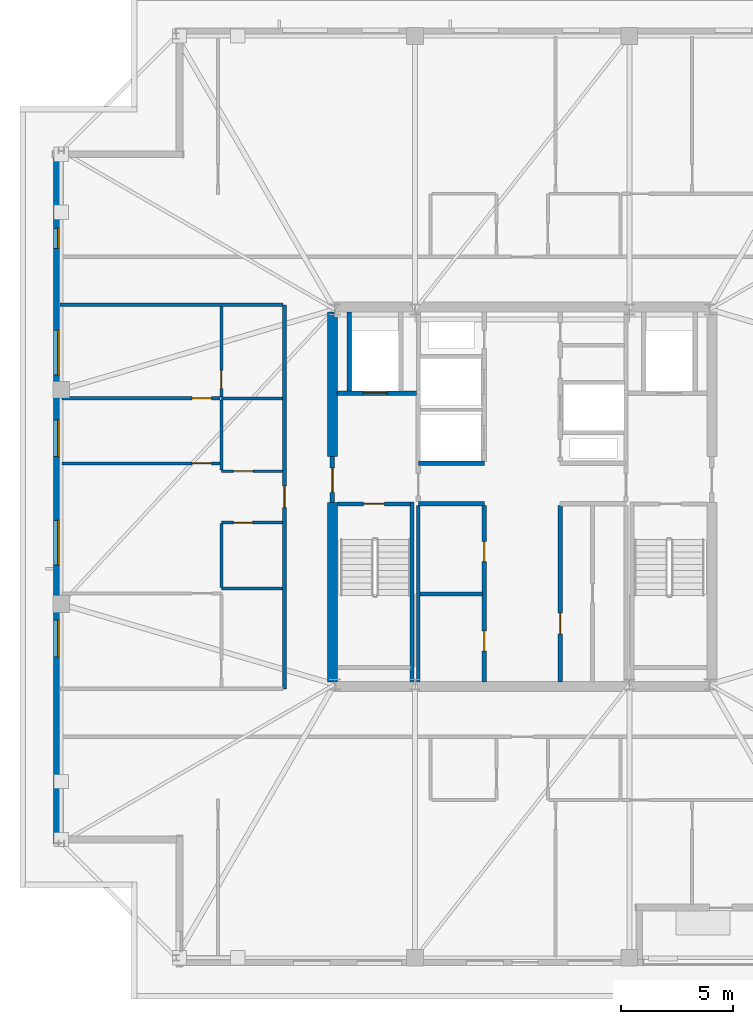
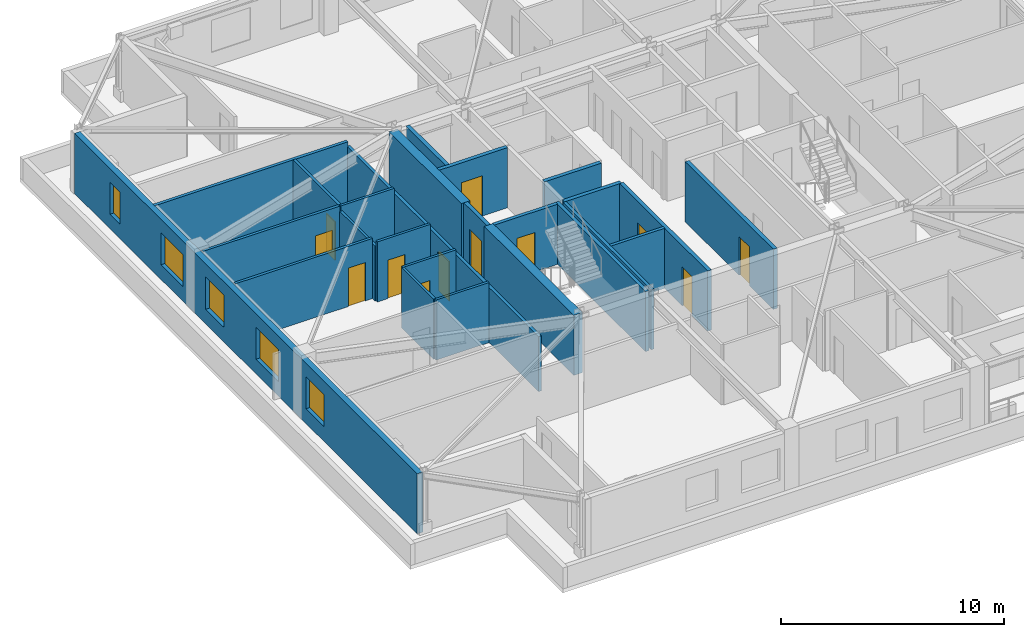
# One storey, part 8 of 15: 25 walls, 12 doors, 5 windows, 17 openings.
"""IFC4 building model written with IfcOpenShell, lengths in metres."""

from ifc_helpers import new_model, si_unit, direction, frame, frame_2d, origin, place, context, subcontext, project, spatial, rectangle, extrude, material, layer, layer_set, type_object, element, fill, save


model = new_model("IFC4")

# Units and contexts
model_context = context("Model", 3, precision=1e-05, world=origin(), true_north=direction((0.0, 1.0)))
body_context = subcontext(model_context, "Body", "Model", "MODEL_VIEW")
ifc_project = project(units=[si_unit("LENGTHUNIT", "METRE"), si_unit("AREAUNIT", "SQUARE_METRE"), si_unit("VOLUMEUNIT", "CUBIC_METRE"), si_unit("PLANEANGLEUNIT", "RADIAN"), si_unit("MASSUNIT", "GRAM", prefix="KILO")], contexts=[model_context])

# Site, building, storey
site_placement = place(None, origin())
site = spatial("IfcSite", under=ifc_project, at=site_placement, CompositionType="ELEMENT")
building_placement = place(site_placement, origin())
building = spatial("IfcBuilding", under=site, at=building_placement, Name="Cairnveth Concourse Tower", CompositionType="ELEMENT")
storey_placement = place(building_placement, frame((0.0, 0.0, 280.5)))
storey = spatial("IfcBuildingStorey", under=building, at=storey_placement, Name="L77", CompositionType="ELEMENT", Elevation=280.5)

# Walls
ifc_material_1 = material(Name="Gypsum Plasterboard Partition", Category="gypsum")
ifc_layer_1 = layer(ifc_material_1, 0.159912109375)
ifc_layer_set_1 = layer_set([ifc_layer_1], Name="Gypsum Plasterboard Partition")
wall_type_1 = type_object("IfcWallType", Name="ACOUSTIC PARTY WALL 180", PredefinedType="PARTITIONING", material=ifc_layer_set_1)
wall_1_placement = place(storey_placement, frame((47.35009765625, 30.7099609375, 0.0), z_axis=(0.0, 0.0, 1.0), x_axis=(0.0, 1.0, 0.0)))
element("IfcWall", 1, at=wall_1_placement, inside=storey, type_object=wall_type_1, Name="Interior Wall IW-L77-025", PredefinedType="PARTITIONING", context=body_context, shape_type="SweptSolid", body=[
    extrude(rectangle(XDim=7.905029296875, YDim=0.159912109375, at=frame_2d((3.95263671875, 0.0))), origin(), (0.0, 0.0, 1.0), 3.2900390625),
])
wall_2_placement = place(storey_placement, frame((47.4150390625, 34.64990234375, 0.0), z_axis=(0.0, 0.0, 1.0), x_axis=(1.0, 0.0, 0.0)))
element("IfcWall", 2, at=wall_2_placement, inside=storey, type_object=wall_type_1, Name="Interior Wall IW-L77-026", PredefinedType="PARTITIONING", context=body_context, shape_type="SweptSolid", body=[
    extrude(rectangle(XDim=2.800048828125, YDim=0.159912109375, at=frame_2d((1.39990234375, 0.0))), origin(), (0.0, 0.0, 1.0), 3.2900390625),
])

# Wall, opening, door
wall_3_placement = place(storey_placement, frame((41.35009765625, 30.39990234375, 0.0), z_axis=(0.0, 0.0, 1.0), x_axis=(0.0, 1.0, 0.0)))
wall_3 = element("IfcWall", 3, at=wall_3_placement, inside=storey, type_object=wall_type_1, Name="Interior Wall IW-L77-038", PredefinedType="PARTITIONING", context=body_context, shape_type="SweptSolid", body=[
    extrude(rectangle(XDim=17.2001953125, YDim=0.159912109375, at=frame_2d((8.60009765625, 0.0))), origin(), (0.0, 0.0, 1.0), 3.009033203125),
])
opening_1_placement = place(wall_3_placement, frame((8.1201171875, 0.0, 0.0)))
opening_1 = element("IfcOpeningElement", 4, at=opening_1_placement, cuts=wall_3, Name="Opening ID10", PredefinedType="OPENING", context=body_context, shape_type="SweptSolid", body=[
    extrude(rectangle(XDim=0.9599609375, YDim=2.179931640625, at=frame_2d((0.47998046875, 1.08984375))), frame((0.0, 0.08984375, 0.0), z_axis=(0.0, -1.0, 0.0), x_axis=(1.0, 0.0, 0.0)), (0.0, 0.0, 1.0), 0.179931640625),
])
ifc_material_2 = material(Name="Solid Core Hardwood Timber Leaf", Category="wood")
door_type_1 = type_object("IfcDoorType", Name="FLAT ENTRANCE DOOR 960X2150", OperationType="NOTDEFINED", PredefinedType="DOOR", material=ifc_material_2)
door_1_placement = place(opening_1_placement, origin())
door_1 = element("IfcDoor", 5, at=door_1_placement, inside=storey, type_object=door_type_1, Name="Penthouse L77PW1 Entrance Door", OperationType="SINGLE_SWING_LEFT", OverallHeight=2.179931640625, OverallWidth=0.9599609375, PredefinedType="DOOR", context=body_context, shape_type="SweptSolid", body=[
    extrude(rectangle(XDim=0.9599609375, YDim=2.179931640625, at=frame_2d((0.47998046875, 1.08984375))), frame((0.0, 0.02490234375, 0.0), z_axis=(0.0, -1.0, 0.0), x_axis=(1.0, 0.0, 0.0)), (0.0, 0.0, 1.0), 0.050048828125),
])
fill(opening_1, door_1)

# Walls
wall_4_placement = place(storey_placement, frame((31.284912109375, 47.60009765625, 0.0), z_axis=(0.0, 0.0, 1.0), x_axis=(1.0, 0.0, 0.0)))
element("IfcWall", 6, at=wall_4_placement, inside=storey, type_object=wall_type_1, Name="Interior Wall IW-L77-041", PredefinedType="PARTITIONING", context=body_context, shape_type="SweptSolid", body=[
    extrude(rectangle(XDim=10.0, YDim=0.159912109375, at=frame_2d((5.0, 0.0))), origin(), (0.0, 0.0, 1.0), 3.2900390625),
])
ifc_material_3 = material(Name="Concrete N65 (65 MPa)", Category="concrete")
ifc_layer_2 = layer(ifc_material_3, 0.449951171875)
ifc_layer_set_2 = layer_set([ifc_layer_2], Name="Concrete N65 (65 MPa)")
wall_type_2 = type_object("IfcWallType", Name="CORE SHEAR WALL 450", PredefinedType="SHEAR", material=ifc_layer_set_2)
wall_5_placement = place(storey_placement, frame((43.5, 30.715087890625, 0.0), z_axis=(0.0, 0.0, 1.0), x_axis=(0.0, 1.0, 0.0)))
element("IfcWall", 7, at=wall_5_placement, inside=storey, type_object=wall_type_2, Name="Core West Shear Wall S L77", PredefinedType="SHEAR", context=body_context, shape_type="SweptSolid", body=[
    extrude(rectangle(XDim=8.034912109375, YDim=0.449951171875, at=frame_2d((4.017578125, 0.0))), origin(), (0.0, 0.0, 1.0), 3.2900390625),
])
wall_6_placement = place(storey_placement, frame((43.5, 40.800048828125, 0.0), z_axis=(0.0, 0.0, 1.0), x_axis=(0.0, 1.0, 0.0)))
element("IfcWall", 8, at=wall_6_placement, inside=storey, type_object=wall_type_2, Name="Core West Shear Wall N L77", PredefinedType="SHEAR", context=body_context, shape_type="SweptSolid", body=[
    extrude(rectangle(XDim=6.48486328125, YDim=0.449951171875, at=frame_2d((3.242431640625, 0.0))), origin(), (0.0, 0.0, 1.0), 3.2900390625),
])

# Wall, opening, door
ifc_material_4 = material(Name="Concrete N50 (50 MPa)", Category="concrete")
ifc_layer_3 = layer(ifc_material_4, 0.179931640625)
ifc_layer_set_3 = layer_set([ifc_layer_3], Name="Concrete N50 (50 MPa)")
wall_type_3 = type_object("IfcWallType", Name="FIRE SHAFT WALL 180", PredefinedType="SOLIDWALL", material=ifc_layer_set_3)
wall_7_placement = place(storey_placement, frame((43.715087890625, 38.68994140625, 0.0), z_axis=(0.0, 0.0, 1.0), x_axis=(1.0, 0.0, 0.0)))
wall_7 = element("IfcWall", 9, at=wall_7_placement, inside=storey, type_object=wall_type_3, Name="Stair ST-1 Shaft Wall NEAR L77", PredefinedType="SOLIDWALL", context=body_context, shape_type="SweptSolid", body=[
    extrude(rectangle(XDim=3.280029296875, YDim=0.179931640625, at=frame_2d((1.64013671875, 0.0))), origin(), (0.0, 0.0, 1.0), 3.2900390625),
])
opening_2_placement = place(wall_7_placement, frame((1.1650390625, 0.0, 0.0)))
opening_2 = element("IfcOpeningElement", 10, at=opening_2_placement, cuts=wall_7, Name="Opening ID12", PredefinedType="OPENING", context=body_context, shape_type="SweptSolid", body=[
    extrude(rectangle(XDim=0.949951171875, YDim=2.14990234375, at=frame_2d((0.47509765625, 1.074951171875))), frame((0.0, 0.099853515625, 0.0), z_axis=(0.0, -1.0, 0.0), x_axis=(1.0, 0.0, 0.0)), (0.0, 0.0, 1.0), 0.199951171875),
])
ifc_material_5 = material(Name="Steel Grade 350", Category="steel")
door_type_2 = type_object("IfcDoorType", Name="FIRE STAIR DOOR 950X2150", OperationType="NOTDEFINED", PredefinedType="DOOR", material=ifc_material_5)
door_2_placement = place(opening_2_placement, origin())
door_2 = element("IfcDoor", 11, at=door_2_placement, inside=storey, type_object=door_type_2, Name="Stair ST-1 Fire Door L77", OperationType="SINGLE_SWING_LEFT", OverallHeight=2.14990234375, OverallWidth=0.949951171875, PredefinedType="DOOR", context=body_context, shape_type="SweptSolid", body=[
    extrude(rectangle(XDim=0.949951171875, YDim=2.14990234375, at=frame_2d((0.47509765625, 1.074951171875))), frame((0.0, 0.02490234375, 0.0), z_axis=(0.0, -1.0, 0.0), x_axis=(1.0, 0.0, 0.0)), (0.0, 0.0, 1.0), 0.050048828125),
])
fill(opening_2, door_2)

# Walls
wall_8_placement = place(storey_placement, frame((47.070068359375, 38.780029296875, 0.0), z_axis=(0.0, 0.0, 1.0), x_axis=(0.0, -1.0, 0.0)))
element("IfcWall", 12, at=wall_8_placement, inside=storey, type_object=wall_type_3, Name="Stair ST-1 Shaft Wall RGHT L77", PredefinedType="SOLIDWALL", context=body_context, shape_type="SweptSolid", body=[
    extrude(rectangle(XDim=8.067138671875, YDim=0.179931640625, at=frame_2d((4.03369140625, 0.0))), origin(), (0.0, 0.0, 1.0), 3.2900390625),
])
ifc_layer_4 = layer(ifc_material_4, 0.199951171875)
ifc_layer_set_4 = layer_set([ifc_layer_4], Name="Concrete N50 (50 MPa)")
wall_type_4 = type_object("IfcWallType", Name="FIRE SHAFT WALL 200", PredefinedType="SOLIDWALL", material=ifc_layer_set_4)
for number, where, z_axis, x_axis, name in (
    (13, (47.35009765625, 38.699951171875, 0.0), (0.0, 0.0, 1.0), (1.0, 0.0, 0.0), "Interior Wall IW-L77-007"),
    (14, (47.35009765625, 40.5, 0.0), (0.0, 0.0, 1.0), (1.0, 0.0, 0.0), "Interior Wall IW-L77-008"),
):
    element("IfcWall", number, at=place(storey_placement, frame(where, z_axis=z_axis, x_axis=x_axis)), inside=storey, type_object=wall_type_4, Name=name, PredefinedType="SOLIDWALL", context=body_context, shape_type="SweptSolid", body=[
        extrude(rectangle(XDim=2.949951171875, YDim=0.199951171875, at=frame_2d((1.47509765625, 0.0))), origin(), (0.0, 0.0, 1.0), 3.2900390625),
    ])

# Wall, openings, doors
wall_9_placement = place(storey_placement, frame((50.300048828125, 30.7099609375, 0.0), z_axis=(0.0, 0.0, 1.0), x_axis=(0.0, 1.0, 0.0)))
wall_9 = element("IfcWall", 15, at=wall_9_placement, inside=storey, type_object=wall_type_4, Name="Interior Wall IW-L77-011", PredefinedType="SOLIDWALL", context=body_context, shape_type="SweptSolid", body=[
    extrude(rectangle(XDim=7.905029296875, YDim=0.199951171875, at=frame_2d((3.95263671875, 0.0))), origin(), (0.0, 0.0, 1.0), 3.2900390625),
])
opening_3_placement = place(wall_9_placement, frame((1.389892578125, 0.0, 0.0)))
opening_3 = element("IfcOpeningElement", 16, at=opening_3_placement, cuts=wall_9, Name="Opening ID26", PredefinedType="OPENING", context=body_context, shape_type="SweptSolid", body=[
    extrude(rectangle(XDim=0.89990234375, YDim=2.1201171875, at=frame_2d((0.449951171875, 1.06005859375))), frame((0.0, 0.10986328125, 0.0), z_axis=(0.0, -1.0, 0.0), x_axis=(1.0, 0.0, 0.0)), (0.0, 0.0, 1.0), 0.219970703125),
])
opening_4_placement = place(wall_9_placement, frame((5.389892578125, 0.0, 0.0)))
opening_4 = element("IfcOpeningElement", 17, at=opening_4_placement, cuts=wall_9, Name="Opening ID26", PredefinedType="OPENING", context=body_context, shape_type="SweptSolid", body=[
    extrude(rectangle(XDim=0.89990234375, YDim=2.1201171875, at=frame_2d((0.449951171875, 1.06005859375))), frame((0.0, 0.10986328125, 0.0), z_axis=(0.0, -1.0, 0.0), x_axis=(1.0, 0.0, 0.0)), (0.0, 0.0, 1.0), 0.219970703125),
])
door_type_3 = type_object("IfcDoorType", Name="CORE TOILET FIRE DOOR 900X2120", OperationType="NOTDEFINED", PredefinedType="DOOR", material=ifc_material_5)
door_3_placement = place(opening_3_placement, origin())
door_3 = element("IfcDoor", 18, at=door_3_placement, inside=storey, type_object=door_type_3, Name="Male WC Door L77", OperationType="SINGLE_SWING_LEFT", OverallHeight=2.1201171875, OverallWidth=0.89990234375, PredefinedType="DOOR", context=body_context, shape_type="SweptSolid", body=[
    extrude(rectangle(XDim=0.89990234375, YDim=2.1201171875, at=frame_2d((0.449951171875, 1.06005859375))), frame((0.0, 0.02490234375, 0.0), z_axis=(0.0, -1.0, 0.0), x_axis=(1.0, 0.0, 0.0)), (0.0, 0.0, 1.0), 0.050048828125),
])
fill(opening_3, door_3)
door_4_placement = place(opening_4_placement, origin())
door_4 = element("IfcDoor", 19, at=door_4_placement, inside=storey, type_object=door_type_3, Name="Female WC Door L77", OperationType="SINGLE_SWING_RIGHT", OverallHeight=2.1201171875, OverallWidth=0.89990234375, PredefinedType="DOOR", context=body_context, shape_type="SweptSolid", body=[
    extrude(rectangle(XDim=0.89990234375, YDim=2.1201171875, at=frame_2d((0.449951171875, 1.06005859375))), frame((0.0, 0.02490234375, 0.0), z_axis=(0.0, -1.0, 0.0), x_axis=(1.0, 0.0, 0.0)), (0.0, 0.0, 1.0), 0.050048828125),
])
fill(opening_4, door_4)

# Wall, opening, door
wall_10_placement = place(storey_placement, frame((53.699951171875, 30.7099609375, 0.0), z_axis=(0.0, 0.0, 1.0), x_axis=(0.0, 1.0, 0.0)))
wall_10 = element("IfcWall", 20, at=wall_10_placement, inside=storey, type_object=wall_type_4, Name="Interior Wall IW-L77-012", PredefinedType="SOLIDWALL", context=body_context, shape_type="SweptSolid", body=[
    extrude(rectangle(XDim=7.905029296875, YDim=0.199951171875, at=frame_2d((3.95263671875, 0.0))), origin(), (0.0, 0.0, 1.0), 3.2900390625),
])
opening_5_placement = place(wall_10_placement, frame((2.139892578125, 0.0, 0.0)))
opening_5 = element("IfcOpeningElement", 21, at=opening_5_placement, cuts=wall_10, Name="Opening ID25", PredefinedType="OPENING", context=body_context, shape_type="SweptSolid", body=[
    extrude(rectangle(XDim=0.949951171875, YDim=2.1201171875, at=frame_2d((0.47509765625, 1.06005859375))), frame((0.0, 0.10986328125, 0.0), z_axis=(0.0, -1.0, 0.0), x_axis=(1.0, 0.0, 0.0)), (0.0, 0.0, 1.0), 0.219970703125),
])
door_type_4 = type_object("IfcDoorType", Name="CORE ACCESSIBLE FIRE DOOR 950X2120", OperationType="NOTDEFINED", PredefinedType="DOOR", material=ifc_material_5)
door_5_placement = place(opening_5_placement, origin())
door_5 = element("IfcDoor", 22, at=door_5_placement, inside=storey, type_object=door_type_4, Name="Sky Restroom Door L77", OperationType="SINGLE_SWING_LEFT", OverallHeight=2.1201171875, OverallWidth=0.949951171875, PredefinedType="DOOR", context=body_context, shape_type="SweptSolid", body=[
    extrude(rectangle(XDim=0.949951171875, YDim=2.1201171875, at=frame_2d((0.47509765625, 1.06005859375))), frame((0.0, 0.02490234375, 0.0), z_axis=(0.0, -1.0, 0.0), x_axis=(1.0, 0.0, 0.0)), (0.0, 0.0, 1.0), 0.050048828125),
])
fill(opening_5, door_5)

wall_11_placement = place(storey_placement, frame((43.5, 38.75, 0.0), z_axis=(0.0, 0.0, 1.0), x_axis=(0.0, 1.0, 0.0)))
wall_11 = element("IfcWall", 23, at=wall_11_placement, inside=storey, type_object=wall_type_4, Name="Interior Wall IW-L77-015", PredefinedType="SOLIDWALL", context=body_context, shape_type="SweptSolid", body=[
    extrude(rectangle(XDim=2.050048828125, YDim=0.199951171875, at=frame_2d((1.02490234375, 0.0))), origin(), (0.0, 0.0, 1.0), 3.2900390625),
])
opening_6_placement = place(wall_11_placement, frame((0.449951171875, 0.0, 0.0)))
opening_6 = element("IfcOpeningElement", 24, at=opening_6_placement, cuts=wall_11, Name="Opening ID06", PredefinedType="OPENING", context=body_context, shape_type="SweptSolid", body=[
    extrude(rectangle(XDim=1.10009765625, YDim=2.14990234375, at=frame_2d((0.550048828125, 1.074951171875))), frame((0.0, 0.10986328125, 0.0), z_axis=(0.0, -1.0, 0.0), x_axis=(1.0, 0.0, 0.0)), (0.0, 0.0, 1.0), 0.219970703125),
])
door_type_5 = type_object("IfcDoorType", Name="FIRE CORRIDOR DOOR 1100X2150", OperationType="NOTDEFINED", PredefinedType="DOOR", material=ifc_material_5)
door_6_placement = place(opening_6_placement, origin())
door_6 = element("IfcDoor", 25, at=door_6_placement, inside=storey, type_object=door_type_5, Name="West Wing to FF Lobby Door L77", OperationType="SINGLE_SWING_LEFT", OverallHeight=2.14990234375, OverallWidth=1.10009765625, PredefinedType="DOOR", context=body_context, shape_type="SweptSolid", body=[
    extrude(rectangle(XDim=1.10009765625, YDim=2.14990234375, at=frame_2d((0.550048828125, 1.074951171875))), frame((0.0, 0.02490234375, 0.0), z_axis=(0.0, -1.0, 0.0), x_axis=(1.0, 0.0, 0.0)), (0.0, 0.0, 1.0), 0.050048828125),
])
fill(opening_6, door_6)

wall_12_placement = place(storey_placement, frame((43.7099609375, 43.64990234375, 0.0), z_axis=(0.0, 0.0, 1.0), x_axis=(1.0, 0.0, 0.0)))
wall_12 = element("IfcWall", 26, at=wall_12_placement, inside=storey, type_object=wall_type_4, Name="Interior Wall IW-L77-017", PredefinedType="SOLIDWALL", context=body_context, shape_type="SweptSolid", body=[
    extrude(rectangle(XDim=3.554931640625, YDim=0.199951171875, at=frame_2d((1.77734375, 0.0))), origin(), (0.0, 0.0, 1.0), 3.2900390625),
])
opening_7_placement = place(wall_12_placement, frame((1.159912109375, 0.0, 0.0)))
opening_7 = element("IfcOpeningElement", 27, at=opening_7_placement, cuts=wall_12, Name="Opening LD-1", PredefinedType="OPENING", context=body_context, shape_type="SweptSolid", body=[
    extrude(rectangle(XDim=1.10009765625, YDim=2.199951171875, at=frame_2d((0.550048828125, 1.10009765625))), frame((0.0, 0.10986328125, 0.0), z_axis=(0.0, -1.0, 0.0), x_axis=(1.0, 0.0, 0.0)), (0.0, 0.0, 1.0), 0.219970703125),
])
ifc_material_6 = material(Name="Architectural Bronze Anodised Aluminium 6063-T6", Category="aluminium")
door_type_6 = type_object("IfcDoorType", Name="LIFT LANDING DOOR 1100X2200", OperationType="SLIDING_TO_LEFT", PredefinedType="DOOR", material=ifc_material_6)
door_7_placement = place(opening_7_placement, origin())
door_7 = element("IfcDoor", 28, at=door_7_placement, inside=storey, type_object=door_type_6, Name="Lift FFL1 Landing Door L77", OperationType="SLIDING_TO_LEFT", OverallHeight=2.199951171875, OverallWidth=1.10009765625, PredefinedType="DOOR", context=body_context, shape_type="SweptSolid", body=[
    extrude(rectangle(XDim=1.10009765625, YDim=2.199951171875, at=frame_2d((0.550048828125, 1.10009765625))), frame((0.0, 0.02490234375, 0.0), z_axis=(0.0, -1.0, 0.0), x_axis=(1.0, 0.0, 0.0)), (0.0, 0.0, 1.0), 0.050048828125),
])
fill(opening_7, door_7)

# Wall
wall_13_placement = place(storey_placement, frame((44.25, 43.735107421875, 0.0), z_axis=(0.0, 0.0, 1.0), x_axis=(0.0, 1.0, 0.0)))
element("IfcWall", 29, at=wall_13_placement, inside=storey, type_object=wall_type_4, Name="Interior Wall IW-L77-019", PredefinedType="SOLIDWALL", context=body_context, shape_type="SweptSolid", body=[
    extrude(rectangle(XDim=3.554931640625, YDim=0.199951171875, at=frame_2d((1.77734375, 0.0))), origin(), (0.0, 0.0, 1.0), 3.2900390625),
])

# Wall, opening, door
ifc_layer_5 = layer(ifc_material_1, 0.139892578125)
ifc_layer_set_5 = layer_set([ifc_layer_5], Name="Gypsum Plasterboard Partition")
wall_type_5 = type_object("IfcWallType", Name="GYPSUM STUD PARTITION 140", PredefinedType="PARTITIONING", material=ifc_layer_set_5)
wall_14_placement = place(storey_placement, frame((31.3798828125, 43.419921875, 0.0), z_axis=(0.0, 0.0, 1.0), x_axis=(1.0, 0.0, 0.0)))
wall_14 = element("IfcWall", 30, at=wall_14_placement, inside=storey, type_object=wall_type_5, Name="Interior Wall IW-L77-074", PredefinedType="PARTITIONING", context=body_context, shape_type="SweptSolid", body=[
    extrude(rectangle(XDim=7.090087890625, YDim=0.139892578125, at=frame_2d((3.544921875, 0.0))), origin(), (0.0, 0.0, 1.0), 3.2900390625),
])
opening_8_placement = place(wall_14_placement, frame((5.830078125, 0.0, 0.0)))
opening_8 = element("IfcOpeningElement", 31, at=opening_8_placement, cuts=wall_14, Name="Opening ID18", PredefinedType="OPENING", context=body_context, shape_type="SweptSolid", body=[
    extrude(rectangle(XDim=0.8798828125, YDim=2.10009765625, at=frame_2d((0.43994140625, 1.050048828125))), frame((0.0, 0.079833984375, 0.0), z_axis=(0.0, -1.0, 0.0), x_axis=(1.0, 0.0, 0.0)), (0.0, 0.0, 1.0), 0.159912109375),
])
door_type_7 = type_object("IfcDoorType", Name="INTERIOR SINGLE DOOR 880X2100", OperationType="NOTDEFINED", PredefinedType="DOOR", material=ifc_material_2)
door_8_placement = place(opening_8_placement, origin())
door_8 = element("IfcDoor", 32, at=door_8_placement, inside=storey, type_object=door_type_7, Name="L77PW1 Bedroom 2 Door", OperationType="SINGLE_SWING_LEFT", OverallHeight=2.10009765625, OverallWidth=0.8798828125, PredefinedType="DOOR", context=body_context, shape_type="SweptSolid", body=[
    extrude(rectangle(XDim=0.8798828125, YDim=2.10009765625, at=frame_2d((0.43994140625, 1.050048828125))), frame((0.0, 0.02490234375, 0.0), z_axis=(0.0, -1.0, 0.0), x_axis=(1.0, 0.0, 0.0)), (0.0, 0.0, 1.0), 0.050048828125),
])
fill(opening_8, door_8)

wall_15_placement = place(storey_placement, frame((38.52001953125, 43.47509765625, 0.0), z_axis=(0.0, 0.0, 1.0), x_axis=(0.0, 1.0, 0.0)))
wall_15 = element("IfcWall", 33, at=wall_15_placement, inside=storey, type_object=wall_type_5, Name="Interior Wall IW-L77-075", PredefinedType="PARTITIONING", context=body_context, shape_type="SweptSolid", body=[
    extrude(rectangle(XDim=4.059814453125, YDim=0.139892578125, at=frame_2d((2.02978515625, 0.0))), origin(), (0.0, 0.0, 1.0), 3.2900390625),
])
opening_9_placement = place(wall_15_placement, frame((0.375, 0.0, 0.0)))
opening_9 = element("IfcOpeningElement", 34, at=opening_9_placement, cuts=wall_15, Name="Opening ID22", PredefinedType="OPENING", context=body_context, shape_type="SweptSolid", body=[
    extrude(rectangle(XDim=0.820068359375, YDim=2.10009765625, at=frame_2d((0.41015625, 1.050048828125))), frame((0.0, 0.079833984375, 0.0), z_axis=(0.0, -1.0, 0.0), x_axis=(1.0, 0.0, 0.0)), (0.0, 0.0, 1.0), 0.159912109375),
])
door_type_8 = type_object("IfcDoorType", Name="INTERIOR WC DOOR 820X2100", OperationType="NOTDEFINED", PredefinedType="DOOR", material=ifc_material_2)
door_9_placement = place(opening_9_placement, origin())
door_9 = element("IfcDoor", 35, at=door_9_placement, inside=storey, type_object=door_type_8, Name="L77PW1 Utility Door", OperationType="SINGLE_SWING_RIGHT", OverallHeight=2.10009765625, OverallWidth=0.820068359375, PredefinedType="DOOR", context=body_context, shape_type="SweptSolid", body=[
    extrude(rectangle(XDim=0.820068359375, YDim=2.10009765625, at=frame_2d((0.41015625, 1.050048828125))), frame((0.0, 0.02490234375, 0.0), z_axis=(0.0, -1.0, 0.0), x_axis=(1.0, 0.0, 0.0)), (0.0, 0.0, 1.0), 0.050048828125),
])
fill(opening_9, door_9)

wall_16_placement = place(storey_placement, frame((31.3798828125, 40.5, 0.0), z_axis=(0.0, 0.0, 1.0), x_axis=(1.0, 0.0, 0.0)))
wall_16 = element("IfcWall", 36, at=wall_16_placement, inside=storey, type_object=wall_type_5, Name="Interior Wall IW-L77-076", PredefinedType="PARTITIONING", context=body_context, shape_type="SweptSolid", body=[
    extrude(rectangle(XDim=7.090087890625, YDim=0.139892578125, at=frame_2d((3.544921875, 0.0))), origin(), (0.0, 0.0, 1.0), 3.2900390625),
])
opening_10_placement = place(wall_16_placement, frame((5.830078125, 0.0, 0.0)))
opening_10 = element("IfcOpeningElement", 37, at=opening_10_placement, cuts=wall_16, Name="Opening ID18", PredefinedType="OPENING", context=body_context, shape_type="SweptSolid", body=[
    extrude(rectangle(XDim=0.8798828125, YDim=2.10009765625, at=frame_2d((0.43994140625, 1.050048828125))), frame((0.0, 0.079833984375, 0.0), z_axis=(0.0, -1.0, 0.0), x_axis=(1.0, 0.0, 0.0)), (0.0, 0.0, 1.0), 0.159912109375),
])
door_10_placement = place(opening_10_placement, origin())
door_10 = element("IfcDoor", 38, at=door_10_placement, inside=storey, type_object=door_type_7, Name="L77PW1 Media Lounge Door", OperationType="SINGLE_SWING_RIGHT", OverallHeight=2.10009765625, OverallWidth=0.8798828125, PredefinedType="DOOR", context=body_context, shape_type="SweptSolid", body=[
    extrude(rectangle(XDim=0.8798828125, YDim=2.10009765625, at=frame_2d((0.43994140625, 1.050048828125))), frame((0.0, 0.02490234375, 0.0), z_axis=(0.0, -1.0, 0.0), x_axis=(1.0, 0.0, 0.0)), (0.0, 0.0, 1.0), 0.050048828125),
])
fill(opening_10, door_10)

# Wall
ifc_layer_6 = layer(ifc_material_1, 0.1298828125)
ifc_layer_set_6 = layer_set([ifc_layer_6], Name="Gypsum Plasterboard Partition")
wall_type_6 = type_object("IfcWallType", Name="WET AREA PARTITION 140", PredefinedType="PLUMBINGWALL", material=ifc_layer_set_6)
wall_17_placement = place(storey_placement, frame((38.52001953125, 34.89990234375, 0.0), z_axis=(0.0, 0.0, 1.0), x_axis=(1.0, 0.0, 0.0)))
element("IfcWall", 39, at=wall_17_placement, inside=storey, type_object=wall_type_6, Name="Interior Wall IW-L77-066", PredefinedType="PLUMBINGWALL", context=body_context, shape_type="SweptSolid", body=[
    extrude(rectangle(XDim=2.75, YDim=0.1298828125, at=frame_2d((1.375, 0.0))), origin(), (0.0, 0.0, 1.0), 3.2900390625),
])

# Wall, opening, door
wall_18_placement = place(storey_placement, frame((38.52001953125, 37.85009765625, 0.0), z_axis=(0.0, 0.0, 1.0), x_axis=(1.0, 0.0, 0.0)))
wall_18 = element("IfcWall", 40, at=wall_18_placement, inside=storey, type_object=wall_type_6, Name="Interior Wall IW-L77-067", PredefinedType="PLUMBINGWALL", context=body_context, shape_type="SweptSolid", body=[
    extrude(rectangle(XDim=2.75, YDim=0.1298828125, at=frame_2d((1.375, 0.0))), origin(), (0.0, 0.0, 1.0), 3.2900390625),
])
opening_11_placement = place(wall_18_placement, frame((0.550048828125, 0.0, 0.0)))
opening_11 = element("IfcOpeningElement", 41, at=opening_11_placement, cuts=wall_18, Name="Opening ID21", PredefinedType="OPENING", context=body_context, shape_type="SweptSolid", body=[
    extrude(rectangle(XDim=0.85009765625, YDim=2.080078125, at=frame_2d((0.425048828125, 1.0400390625))), frame((0.0, 0.074951171875, 0.0), z_axis=(0.0, -1.0, 0.0), x_axis=(1.0, 0.0, 0.0)), (0.0, 0.0, 1.0), 0.14990234375),
])
door_type_9 = type_object("IfcDoorType", Name="INTERIOR WC DOOR 850X2100", OperationType="NOTDEFINED", PredefinedType="DOOR", material=ifc_material_2)
door_11_placement = place(opening_11_placement, origin())
door_11 = element("IfcDoor", 42, at=door_11_placement, inside=storey, type_object=door_type_9, Name="L77PW1 Bathroom Door", OperationType="SINGLE_SWING_RIGHT", OverallHeight=2.080078125, OverallWidth=0.85009765625, PredefinedType="DOOR", context=body_context, shape_type="SweptSolid", body=[
    extrude(rectangle(XDim=0.85009765625, YDim=2.080078125, at=frame_2d((0.425048828125, 1.0400390625))), frame((0.0, 0.02490234375, 0.0), z_axis=(0.0, -1.0, 0.0), x_axis=(1.0, 0.0, 0.0)), (0.0, 0.0, 1.0), 0.050048828125),
])
fill(opening_11, door_11)

# Walls
wall_19_placement = place(storey_placement, frame((38.52001953125, 34.949951171875, 0.0), z_axis=(0.0, 0.0, 1.0), x_axis=(0.0, 1.0, 0.0)))
element("IfcWall", 43, at=wall_19_placement, inside=storey, type_object=wall_type_6, Name="Interior Wall IW-L77-068", PredefinedType="PLUMBINGWALL", context=body_context, shape_type="SweptSolid", body=[
    extrude(rectangle(XDim=2.85009765625, YDim=0.1298828125, at=frame_2d((1.425048828125, 0.0))), origin(), (0.0, 0.0, 1.0), 3.2900390625),
])
wall_20_placement = place(storey_placement, frame((38.52001953125, 43.39990234375, 0.0), z_axis=(0.0, 0.0, 1.0), x_axis=(1.0, 0.0, 0.0)))
element("IfcWall", 44, at=wall_20_placement, inside=storey, type_object=wall_type_6, Name="Interior Wall IW-L77-069", PredefinedType="PLUMBINGWALL", context=body_context, shape_type="SweptSolid", body=[
    extrude(rectangle(XDim=2.75, YDim=0.1298828125, at=frame_2d((1.375, 0.0))), origin(), (0.0, 0.0, 1.0), 3.2900390625),
])

# Wall, opening, door
wall_21_placement = place(storey_placement, frame((38.52001953125, 40.14990234375, 0.0), z_axis=(0.0, 0.0, 1.0), x_axis=(1.0, 0.0, 0.0)))
wall_21 = element("IfcWall", 45, at=wall_21_placement, inside=storey, type_object=wall_type_6, Name="Interior Wall IW-L77-070", PredefinedType="PLUMBINGWALL", context=body_context, shape_type="SweptSolid", body=[
    extrude(rectangle(XDim=2.75, YDim=0.1298828125, at=frame_2d((1.375, 0.0))), origin(), (0.0, 0.0, 1.0), 3.2900390625),
])
opening_12_placement = place(wall_21_placement, frame((0.550048828125, 0.0, 0.0)))
opening_12 = element("IfcOpeningElement", 46, at=opening_12_placement, cuts=wall_21, Name="Opening ID18", PredefinedType="OPENING", context=body_context, shape_type="SweptSolid", body=[
    extrude(rectangle(XDim=0.8798828125, YDim=2.10009765625, at=frame_2d((0.43994140625, 1.050048828125))), frame((0.0, 0.074951171875, 0.0), z_axis=(0.0, -1.0, 0.0), x_axis=(1.0, 0.0, 0.0)), (0.0, 0.0, 1.0), 0.14990234375),
])
door_12_placement = place(opening_12_placement, origin())
door_12 = element("IfcDoor", 47, at=door_12_placement, inside=storey, type_object=door_type_7, Name="L77PW1 Kitchen Door", OperationType="SINGLE_SWING_LEFT", OverallHeight=2.10009765625, OverallWidth=0.8798828125, PredefinedType="DOOR", context=body_context, shape_type="SweptSolid", body=[
    extrude(rectangle(XDim=0.8798828125, YDim=2.10009765625, at=frame_2d((0.43994140625, 1.050048828125))), frame((0.0, 0.02490234375, 0.0), z_axis=(0.0, -1.0, 0.0), x_axis=(1.0, 0.0, 0.0)), (0.0, 0.0, 1.0), 0.050048828125),
])
fill(opening_12, door_12)

# Wall
wall_22_placement = place(storey_placement, frame((38.52001953125, 40.199951171875, 0.0), z_axis=(0.0, 0.0, 1.0), x_axis=(0.0, 1.0, 0.0)))
element("IfcWall", 48, at=wall_22_placement, inside=storey, type_object=wall_type_6, Name="Interior Wall IW-L77-071", PredefinedType="PLUMBINGWALL", context=body_context, shape_type="SweptSolid", body=[
    extrude(rectangle(XDim=3.150146484375, YDim=0.1298828125, at=frame_2d((1.5751953125, 0.0))), origin(), (0.0, 0.0, 1.0), 3.009033203125),
])

# Wall, openings, windows
ifc_material_7 = material(Name="Hawthorn Red-Ochre Fired Clay Brick Masonry", Category="masonry")
ifc_layer_7 = layer(ifc_material_7, 0.300048828125)
ifc_layer_set_7 = layer_set([ifc_layer_7], Name="Hawthorn Red-Ochre Fired Clay Brick Masonry")
wall_type_7 = type_object("IfcWallType", Name="ZONE 4 BRICK PIER SPANDREL WALL 300", PredefinedType="SOLIDWALL", material=ifc_layer_set_7)
wall_23_placement = place(storey_placement, frame((31.14990234375, 23.5, 0.0), z_axis=(0.0, 0.0, 1.0), x_axis=(0.0, 1.0, 0.0)))
wall_23 = element("IfcWall", 49, at=wall_23_placement, inside=storey, type_object=wall_type_7, Name="Exterior Wall EW-L77-S03", PredefinedType="SOLIDWALL", context=body_context, shape_type="SweptSolid", body=[
    extrude(rectangle(XDim=30.721923828125, YDim=0.300048828125, at=frame_2d((15.36083984375, 0.0))), origin(), (0.0, 0.0, 1.0), 3.2900390625),
])
opening_13_placement = place(wall_23_placement, frame((8.33056640625, 0.0, 0.800048828125)))
opening_13 = element("IfcOpeningElement", 50, at=opening_13_placement, cuts=wall_23, Name="Opening W04", PredefinedType="OPENING", context=body_context, shape_type="SweptSolid", body=[
    extrude(rectangle(XDim=1.64990234375, YDim=1.758056640625, at=frame_2d((0.824951171875, 0.87890625))), frame((0.0, 0.159912109375, 0.0), z_axis=(0.0, -1.0, 0.0), x_axis=(1.0, 0.0, 0.0)), (0.0, 0.0, 1.0), 0.320068359375),
])
opening_14_placement = place(wall_23_placement, frame((12.4423828125, 0.0, 0.800048828125)))
opening_14 = element("IfcOpeningElement", 51, at=opening_14_placement, cuts=wall_23, Name="Opening W09", PredefinedType="OPENING", context=body_context, shape_type="SweptSolid", body=[
    extrude(rectangle(XDim=2.0, YDim=1.758056640625, at=frame_2d((1.0, 0.87890625))), frame((0.0, 0.159912109375, 0.0), z_axis=(0.0, -1.0, 0.0), x_axis=(1.0, 0.0, 0.0)), (0.0, 0.0, 1.0), 0.320068359375),
])
opening_15_placement = place(wall_23_placement, frame((17.304443359375, 0.0, 0.800048828125)))
opening_15 = element("IfcOpeningElement", 52, at=opening_15_placement, cuts=wall_23, Name="Opening W04", PredefinedType="OPENING", context=body_context, shape_type="SweptSolid", body=[
    extrude(rectangle(XDim=1.64990234375, YDim=1.758056640625, at=frame_2d((0.824951171875, 0.87890625))), frame((0.0, 0.159912109375, 0.0), z_axis=(0.0, -1.0, 0.0), x_axis=(1.0, 0.0, 0.0)), (0.0, 0.0, 1.0), 0.320068359375),
])
opening_16_placement = place(wall_23_placement, frame((20.966552734375, 0.0, 0.800048828125)))
opening_16 = element("IfcOpeningElement", 53, at=opening_16_placement, cuts=wall_23, Name="Opening W09", PredefinedType="OPENING", context=body_context, shape_type="SweptSolid", body=[
    extrude(rectangle(XDim=2.0, YDim=1.758056640625, at=frame_2d((1.0, 0.87890625))), frame((0.0, 0.159912109375, 0.0), z_axis=(0.0, -1.0, 0.0), x_axis=(1.0, 0.0, 0.0)), (0.0, 0.0, 1.0), 0.320068359375),
])
opening_17_placement = place(wall_23_placement, frame((26.6298828125, 0.0, 0.800048828125)))
opening_17 = element("IfcOpeningElement", 54, at=opening_17_placement, cuts=wall_23, Name="Opening W13", PredefinedType="OPENING", context=body_context, shape_type="SweptSolid", body=[
    extrude(rectangle(XDim=0.89990234375, YDim=1.75, at=frame_2d((0.449951171875, 0.875))), frame((0.0, 0.159912109375, 0.0), z_axis=(0.0, -1.0, 0.0), x_axis=(1.0, 0.0, 0.0)), (0.0, 0.0, 1.0), 0.320068359375),
])
ifc_material_8 = material(Name="Double Glazed Low-E Clear Glass", Category="glass")
window_type_1 = type_object("IfcWindowType", Name="DEEP-SET BEDROOM LANCET WINDOW 900X1750", PartitioningType="DOUBLE_PANEL_VERTICAL", PredefinedType="WINDOW", material=ifc_material_8)
window_1_placement = place(opening_17_placement, origin())
window_1 = element("IfcWindow", 55, at=window_1_placement, inside=storey, type_object=window_type_1, Name="Dwelling Lancet Window L77-DW3", OverallHeight=1.75, OverallWidth=0.89990234375, PartitioningType="SINGLE_PANEL", PredefinedType="WINDOW", context=body_context, shape_type="SweptSolid", body=[
    extrude(rectangle(XDim=0.89990234375, YDim=1.75, at=frame_2d((0.449951171875, 0.875))), frame((0.0, -0.0400390625, 0.0), z_axis=(0.0, -1.0, 0.0), x_axis=(1.0, 0.0, 0.0)), (0.0, 0.0, 1.0), 0.06005859375),
])
fill(opening_17, window_1)
window_type_2 = type_object("IfcWindowType", Name="DEEP-SET GOTHIC LANCET WINDOW 1650X1850", PartitioningType="DOUBLE_PANEL_VERTICAL", PredefinedType="WINDOW", material=ifc_material_8)
window_2_placement = place(opening_13_placement, origin())
window_2 = element("IfcWindow", 56, at=window_2_placement, inside=storey, type_object=window_type_2, Name="Gothic Lancet Window L77-3-2", OverallHeight=1.758056640625, OverallWidth=1.64990234375, PartitioningType="SINGLE_PANEL", PredefinedType="WINDOW", context=body_context, shape_type="SweptSolid", body=[
    extrude(rectangle(XDim=1.64990234375, YDim=1.758056640625, at=frame_2d((0.824951171875, 0.87890625))), frame((0.0, -0.050048828125, 0.0), z_axis=(0.0, -1.0, 0.0), x_axis=(1.0, 0.0, 0.0)), (0.0, 0.0, 1.0), 0.06005859375),
])
fill(opening_13, window_2)
window_3_placement = place(opening_15_placement, origin())
window_3 = element("IfcWindow", 57, at=window_3_placement, inside=storey, type_object=window_type_2, Name="Gothic Lancet Window L77-3-4", OverallHeight=1.758056640625, OverallWidth=1.64990234375, PartitioningType="SINGLE_PANEL", PredefinedType="WINDOW", context=body_context, shape_type="SweptSolid", body=[
    extrude(rectangle(XDim=1.64990234375, YDim=1.758056640625, at=frame_2d((0.824951171875, 0.87890625))), frame((0.0, -0.050048828125, 0.0), z_axis=(0.0, -1.0, 0.0), x_axis=(1.0, 0.0, 0.0)), (0.0, 0.0, 1.0), 0.06005859375),
])
fill(opening_15, window_3)
window_type_3 = type_object("IfcWindowType", Name="DEEP-SET PENTHOUSE LANCET WINDOW 2000X1850", PartitioningType="DOUBLE_PANEL_VERTICAL", PredefinedType="WINDOW", material=ifc_material_8)
window_4_placement = place(opening_14_placement, origin())
window_4 = element("IfcWindow", 58, at=window_4_placement, inside=storey, type_object=window_type_3, Name="Gothic Lancet Window L77-3-3", OverallHeight=1.758056640625, OverallWidth=2.0, PartitioningType="SINGLE_PANEL", PredefinedType="WINDOW", context=body_context, shape_type="SweptSolid", body=[
    extrude(rectangle(XDim=2.0, YDim=1.758056640625, at=frame_2d((1.0, 0.87890625))), frame((0.0, -0.050048828125, 0.0), z_axis=(0.0, -1.0, 0.0), x_axis=(1.0, 0.0, 0.0)), (0.0, 0.0, 1.0), 0.06005859375),
])
fill(opening_14, window_4)
window_5_placement = place(opening_16_placement, origin())
window_5 = element("IfcWindow", 59, at=window_5_placement, inside=storey, type_object=window_type_3, Name="Gothic Lancet Window L77-3-5", OverallHeight=1.758056640625, OverallWidth=2.0, PartitioningType="SINGLE_PANEL", PredefinedType="WINDOW", context=body_context, shape_type="SweptSolid", body=[
    extrude(rectangle(XDim=2.0, YDim=1.758056640625, at=frame_2d((1.0, 0.87890625))), frame((0.0, -0.050048828125, 0.0), z_axis=(0.0, -1.0, 0.0), x_axis=(1.0, 0.0, 0.0)), (0.0, 0.0, 1.0), 0.06005859375),
])
fill(opening_16, window_5)

save(model, "model.ifc")
